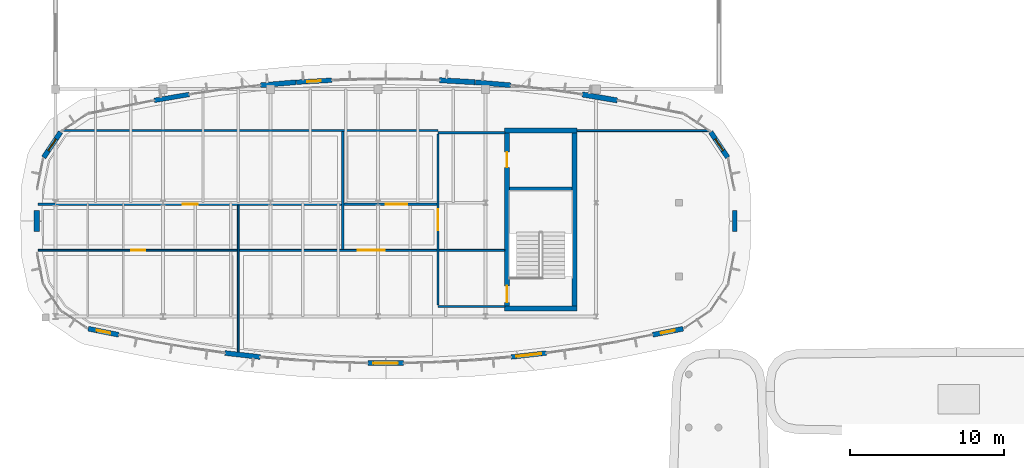
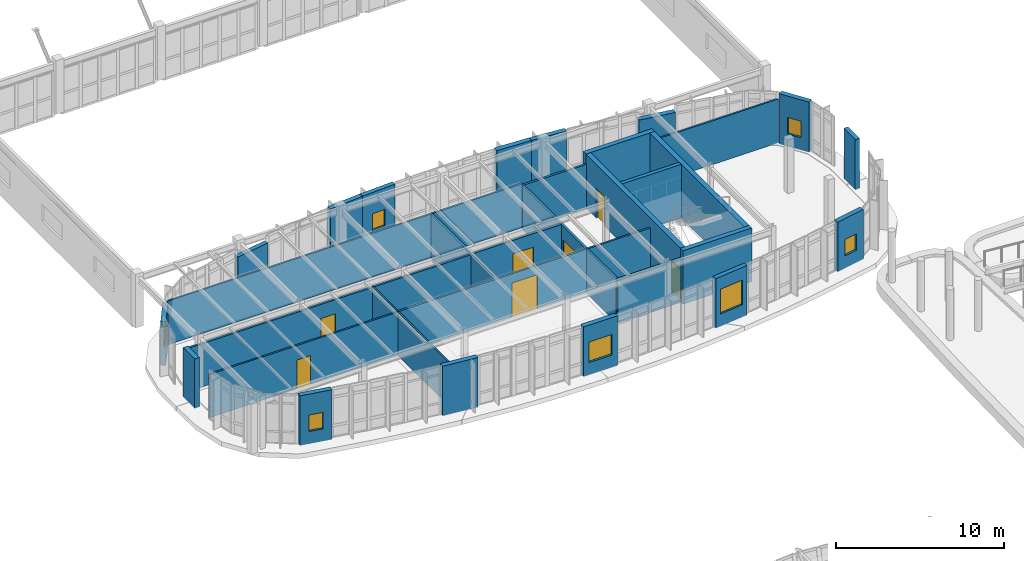
# One storey, part 86 of 111: 31 walls, 7 doors, 7 windows, 14 openings.
"""IFC4 building model written with IfcOpenShell, lengths in metres."""

from ifc_helpers import new_model, si_unit, direction, frame, frame_2d, origin, place, context, subcontext, project, spatial, rectangle, extrude, material, layer, layer_set, type_object, element, fill, save


model = new_model("IFC4")

# Units and contexts
model_context = context("Model", 3, precision=1e-05, world=origin(), true_north=direction((0.0, 1.0)))
body_context = subcontext(model_context, "Body", "Model", "MODEL_VIEW")
ifc_project = project(units=[si_unit("LENGTHUNIT", "METRE"), si_unit("AREAUNIT", "SQUARE_METRE"), si_unit("VOLUMEUNIT", "CUBIC_METRE"), si_unit("PLANEANGLEUNIT", "RADIAN"), si_unit("MASSUNIT", "GRAM", prefix="KILO")], contexts=[model_context])

# Site, building, storey
site_placement = place(None, origin())
site = spatial("IfcSite", under=ifc_project, at=site_placement, CompositionType="ELEMENT")
building_placement = place(site_placement, origin())
building = spatial("IfcBuilding", under=site, at=building_placement, Name="Corveleigh Park Community Centre", CompositionType="ELEMENT")
storey_placement = place(building_placement, frame((0.0, 0.0, 4.800048828125)))
storey = spatial("IfcBuildingStorey", under=building, at=storey_placement, Name="L01", CompositionType="ELEMENT", Elevation=4.800048828125)

# Wall, opening, window
ifc_material_1 = material(Name="Precast concrete C40/50", Category="concrete")
ifc_layer_1 = layer(ifc_material_1, 0.300048828125, Name="Precast concrete C40/50", Category="concrete")
ifc_layer_set_1 = layer_set([ifc_layer_1], Name="Precast concrete C40/50")
wall_type_1 = type_object("IfcWallType", Name="WL-EXT-300", PredefinedType="STANDARD", material=ifc_layer_set_1)
wall_1_placement = place(storey_placement, frame((43.1650390625, 75.614990234375, 0.0), z_axis=(0.0, 0.0, 1.0), x_axis=(-0.993581848664, -0.113115472002, 0.0)))
wall_1 = element("IfcWall", 1, at=wall_1_placement, inside=storey, type_object=wall_type_1, Name="V2 L01 Precast Facade Wall", PredefinedType="STANDARD", context=body_context, shape_type="SweptSolid", body=[
    extrude(rectangle(XDim=2.31591796875, YDim=0.300048828125, at=frame_2d((1.157958984375, 0.0))), origin(), (0.0, 0.0, 1.0), 3.619873046875),
])
opening_1_placement = place(wall_1_placement, frame((0.3330078125, 0.0, 0.89990234375)))
opening_1 = element("IfcOpeningElement", 2, at=opening_1_placement, cuts=wall_1, Name="Opening W14", PredefinedType="OPENING", context=body_context, shape_type="SweptSolid", body=[
    extrude(rectangle(XDim=1.64990234375, YDim=1.800048828125, at=frame_2d((0.824951171875, 0.89990234375))), frame((0.0, 0.159912109375, 0.0), z_axis=(0.0, -1.0, 0.0), x_axis=(1.0, 0.0, 0.0)), (0.0, 0.0, 1.0), 0.320068359375),
])
ifc_material_2 = material(Name="Low-E double glazing", Category="glass")
window_type_1 = type_object("IfcWindowType", Name="WIN-EXT-1650x1800", PartitioningType="SINGLE_PANEL", PredefinedType="WINDOW", material=ifc_material_2)
window_1_placement = place(opening_1_placement, origin())
window_1 = element("IfcWindow", 3, at=window_1_placement, inside=storey, type_object=window_type_1, Name="V2 L01 Window 38", OverallHeight=1.800048828125, OverallWidth=1.64990234375, PartitioningType="SINGLE_PANEL", PredefinedType="WINDOW", context=body_context, shape_type="SweptSolid", body=[
    extrude(rectangle(XDim=1.64990234375, YDim=1.800048828125, at=frame_2d((0.824951171875, 0.89990234375))), frame((0.0, 0.030029296875, 0.0), z_axis=(0.0, -1.0, 0.0), x_axis=(1.0, 0.0, 0.0)), (0.0, 0.0, 1.0), 0.06005859375),
])
fill(opening_1, window_1)

# Wall
wall_2_placement = place(storey_placement, frame((55.423095703125, 84.883056640625, 0.0), z_axis=(0.0, 0.0, 1.0), x_axis=(0.0, -1.0, 0.0)))
element("IfcWall", 4, at=wall_2_placement, inside=storey, type_object=wall_type_1, Name="V2 L01 Precast Facade Wall", PredefinedType="STANDARD", context=body_context, shape_type="SweptSolid", body=[
    extrude(rectangle(XDim=1.365966796875, YDim=0.300048828125, at=frame_2d((0.68310546875, 0.0))), origin(), (0.0, 0.0, 1.0), 3.656982421875),
])

# Wall, opening, window
wall_3_placement = place(storey_placement, frame((26.87890625, 93.2470703125, 0.0), z_axis=(0.0, 0.0, 1.0), x_axis=(0.998425774829, 0.056088966442, 0.0)))
wall_3 = element("IfcWall", 5, at=wall_3_placement, inside=storey, type_object=wall_type_1, Name="V2 L01 Precast Facade Wall", PredefinedType="STANDARD", context=body_context, shape_type="SweptSolid", body=[
    extrude(rectangle(XDim=2.315673828125, YDim=0.300048828125, at=frame_2d((1.15771484375, 0.0))), origin(), (0.0, 0.0, 1.0), 3.656982421875),
])
opening_2_placement = place(wall_3_placement, frame((0.7080078125, 0.0, 0.89990234375)))
opening_2 = element("IfcOpeningElement", 6, at=opening_2_placement, cuts=wall_3, Name="Opening W01", PredefinedType="OPENING", context=body_context, shape_type="SweptSolid", body=[
    extrude(rectangle(XDim=0.89990234375, YDim=1.199951171875, at=frame_2d((0.449951171875, 0.60009765625))), frame((0.0, 0.159912109375, 0.0), z_axis=(0.0, -1.0, 0.0), x_axis=(1.0, 0.0, 0.0)), (0.0, 0.0, 1.0), 0.320068359375),
])
window_type_2 = type_object("IfcWindowType", Name="WIN-EXT-0900x1200", PartitioningType="SINGLE_PANEL", PredefinedType="WINDOW", material=ifc_material_2)
window_2_placement = place(opening_2_placement, origin())
window_2 = element("IfcWindow", 7, at=window_2_placement, inside=storey, type_object=window_type_2, Name="V2 L01 Window 41", OverallHeight=1.199951171875, OverallWidth=0.89990234375, PartitioningType="SINGLE_PANEL", PredefinedType="WINDOW", context=body_context, shape_type="SweptSolid", body=[
    extrude(rectangle(XDim=0.89990234375, YDim=1.199951171875, at=frame_2d((0.449951171875, 0.60009765625))), frame((0.0, 0.030029296875, 0.0), z_axis=(0.0, -1.0, 0.0), x_axis=(1.0, 0.0, 0.0)), (0.0, 0.0, 1.0), 0.06005859375),
])
fill(opening_2, window_2)

# Walls
wall_4_placement = place(storey_placement, frame((17.625, 92.06201171875, 0.0), z_axis=(0.0, 0.0, 1.0), x_axis=(0.985715936194, 0.168416427742, 0.0)))
element("IfcWall", 8, at=wall_4_placement, inside=storey, type_object=wall_type_1, Name="V2 L01 Precast Facade Wall", PredefinedType="STANDARD", context=body_context, shape_type="SweptSolid", body=[
    extrude(rectangle(XDim=2.31494140625, YDim=0.300048828125, at=frame_2d((1.157470703125, 0.0))), origin(), (0.0, 0.0, 1.0), 3.18798828125),
])
ifc_layer_2 = layer(ifc_material_1, 0.320068359375, Name="Precast concrete C40/50", Category="concrete")
ifc_layer_set_2 = layer_set([ifc_layer_2], Name="Precast concrete C40/50")
wall_type_2 = type_object("IfcWallType", Name="WL-EXT-320", PredefinedType="STANDARD", material=ifc_layer_set_2)
wall_5_placement = place(storey_placement, frame((24.535888671875, 75.35302734375, 0.0), z_axis=(0.0, 0.0, 1.0), x_axis=(-0.993580499593, 0.113127321314, 0.0)))
element("IfcWall", 9, at=wall_5_placement, inside=storey, type_object=wall_type_2, Name="V2 L01 Precast Facade Wall", PredefinedType="STANDARD", context=body_context, shape_type="SweptSolid", body=[
    extrude(rectangle(XDim=2.315673828125, YDim=0.320068359375, at=frame_2d((1.15771484375, 0.0))), origin(), (0.0, 0.0, 1.0), 3.619873046875),
])

# Wall, opening, window
wall_6_placement = place(storey_placement, frame((52.06689453125, 77.197021484375, 0.0), z_axis=(0.0, 0.0, 1.0), x_axis=(-0.980751614327, -0.195259496556, 0.0)))
wall_6 = element("IfcWall", 10, at=wall_6_placement, inside=storey, type_object=wall_type_2, Name="V2 L01 Precast Facade Wall", PredefinedType="STANDARD", context=body_context, shape_type="SweptSolid", body=[
    extrude(rectangle(XDim=2.028076171875, YDim=0.320068359375, at=frame_2d((1.01416015625, 0.0))), origin(), (0.0, 0.0, 1.0), 3.619873046875),
])
opening_3_placement = place(wall_6_placement, frame((0.56396484375, 0.0, 0.89990234375)))
opening_3 = element("IfcOpeningElement", 11, at=opening_3_placement, cuts=wall_6, Name="Opening W01", PredefinedType="OPENING", context=body_context, shape_type="SweptSolid", body=[
    extrude(rectangle(XDim=0.89990234375, YDim=1.199951171875, at=frame_2d((0.449951171875, 0.60009765625))), frame((0.0, 0.169921875, 0.0), z_axis=(0.0, -1.0, 0.0), x_axis=(1.0, 0.0, 0.0)), (0.0, 0.0, 1.0), 0.340087890625),
])
window_3_placement = place(opening_3_placement, origin())
window_3 = element("IfcWindow", 12, at=window_3_placement, inside=storey, type_object=window_type_2, Name="V2 L01 Window 39", OverallHeight=1.199951171875, OverallWidth=0.89990234375, PartitioningType="SINGLE_PANEL", PredefinedType="WINDOW", context=body_context, shape_type="SweptSolid", body=[
    extrude(rectangle(XDim=0.89990234375, YDim=1.199951171875, at=frame_2d((0.449951171875, 0.60009765625))), frame((0.0, 0.030029296875, 0.0), z_axis=(0.0, -1.0, 0.0), x_axis=(1.0, 0.0, 0.0)), (0.0, 0.0, 1.0), 0.06005859375),
])
fill(opening_3, window_3)

wall_7_placement = place(storey_placement, frame((53.864013671875, 90.001953125, 0.0), z_axis=(0.0, 0.0, 1.0), x_axis=(0.555492993171, -0.83152121713, 0.0)))
wall_7 = element("IfcWall", 13, at=wall_7_placement, inside=storey, type_object=wall_type_2, Name="V2 L01 Precast Facade Wall", PredefinedType="STANDARD", context=body_context, shape_type="SweptSolid", body=[
    extrude(rectangle(XDim=1.9892578125, YDim=0.320068359375, at=frame_2d((0.99462890625, 0.0))), origin(), (0.0, 0.0, 1.0), 3.656982421875),
])
opening_4_placement = place(wall_7_placement, frame((0.5439453125, 0.0, 0.89990234375)))
opening_4 = element("IfcOpeningElement", 14, at=opening_4_placement, cuts=wall_7, Name="Opening W01", PredefinedType="OPENING", context=body_context, shape_type="SweptSolid", body=[
    extrude(rectangle(XDim=0.89990234375, YDim=1.199951171875, at=frame_2d((0.449951171875, 0.60009765625))), frame((0.0, 0.169921875, 0.0), z_axis=(0.0, -1.0, 0.0), x_axis=(1.0, 0.0, 0.0)), (0.0, 0.0, 1.0), 0.340087890625),
])
window_4_placement = place(opening_4_placement, origin())
window_4 = element("IfcWindow", 15, at=window_4_placement, inside=storey, type_object=window_type_2, Name="V2 L01 Window 40", OverallHeight=1.199951171875, OverallWidth=0.89990234375, PartitioningType="SINGLE_PANEL", PredefinedType="WINDOW", context=body_context, shape_type="SweptSolid", body=[
    extrude(rectangle(XDim=0.89990234375, YDim=1.199951171875, at=frame_2d((0.449951171875, 0.60009765625))), frame((0.0, 0.030029296875, 0.0), z_axis=(0.0, -1.0, 0.0), x_axis=(1.0, 0.0, 0.0)), (0.0, 0.0, 1.0), 0.06005859375),
])
fill(opening_4, window_4)

# Walls
wall_8_placement = place(storey_placement, frame((38.5390625, 93.2451171875, 0.0), z_axis=(0.0, 0.0, 1.0), x_axis=(0.99640842631, -0.084677316788, 0.0)))
element("IfcWall", 16, at=wall_8_placement, inside=storey, type_object=wall_type_2, Name="V2 L01 Precast Facade Wall", PredefinedType="STANDARD", context=body_context, shape_type="SweptSolid", body=[
    extrude(rectangle(XDim=2.315185546875, YDim=0.320068359375, at=frame_2d((1.15771484375, 0.0))), origin(), (0.0, 0.0, 1.0), 3.656982421875),
])
wall_9_placement = place(storey_placement, frame((24.553955078125, 93.049072265625, 0.0), z_axis=(0.0, 0.0, 1.0), x_axis=(0.996409182302, 0.084668420464, 0.0)))
element("IfcWall", 17, at=wall_9_placement, inside=storey, type_object=wall_type_2, Name="V2 L01 Precast Facade Wall", PredefinedType="STANDARD", context=body_context, shape_type="SweptSolid", body=[
    extrude(rectangle(XDim=2.3154296875, YDim=0.320068359375, at=frame_2d((1.15771484375, 0.0))), origin(), (0.0, 0.0, 1.0), 3.656982421875),
])

# Wall, opening, window
wall_10_placement = place(storey_placement, frame((10.430908203125, 88.347900390625, 0.0), z_axis=(0.0, 0.0, 1.0), x_axis=(0.555492993171, 0.83152121713, 0.0)))
wall_10 = element("IfcWall", 18, at=wall_10_placement, inside=storey, type_object=wall_type_2, Name="V2 L01 Precast Facade Wall", PredefinedType="STANDARD", context=body_context, shape_type="SweptSolid", body=[
    extrude(rectangle(XDim=1.9892578125, YDim=0.320068359375, at=frame_2d((0.99462890625, 0.0))), origin(), (0.0, 0.0, 1.0), 3.18798828125),
])
opening_5_placement = place(wall_10_placement, frame((0.5439453125, 0.0, 0.89990234375)))
opening_5 = element("IfcOpeningElement", 19, at=opening_5_placement, cuts=wall_10, Name="Opening W01", PredefinedType="OPENING", context=body_context, shape_type="SweptSolid", body=[
    extrude(rectangle(XDim=0.89990234375, YDim=1.199951171875, at=frame_2d((0.449951171875, 0.60009765625))), frame((0.0, 0.169921875, 0.0), z_axis=(0.0, -1.0, 0.0), x_axis=(1.0, 0.0, 0.0)), (0.0, 0.0, 1.0), 0.340087890625),
])
window_5_placement = place(opening_5_placement, origin())
window_5 = element("IfcWindow", 20, at=window_5_placement, inside=storey, type_object=window_type_2, Name="V2 L01 Window 42", OverallHeight=1.199951171875, OverallWidth=0.89990234375, PartitioningType="SINGLE_PANEL", PredefinedType="WINDOW", context=body_context, shape_type="SweptSolid", body=[
    extrude(rectangle(XDim=0.89990234375, YDim=1.199951171875, at=frame_2d((0.449951171875, 0.60009765625))), frame((0.0, 0.030029296875, 0.0), z_axis=(0.0, -1.0, 0.0), x_axis=(1.0, 0.0, 0.0)), (0.0, 0.0, 1.0), 0.06005859375),
])
fill(opening_5, window_5)

wall_11_placement = place(storey_placement, frame((15.322021484375, 76.801025390625, 0.0), z_axis=(0.0, 0.0, 1.0), x_axis=(-0.980751614327, 0.195259496556, 0.0)))
wall_11 = element("IfcWall", 21, at=wall_11_placement, inside=storey, type_object=wall_type_2, Name="V2 L01 Precast Facade Wall", PredefinedType="STANDARD", context=body_context, shape_type="SweptSolid", body=[
    extrude(rectangle(XDim=2.028076171875, YDim=0.320068359375, at=frame_2d((1.01416015625, 0.0))), origin(), (0.0, 0.0, 1.0), 3.619873046875),
])
opening_6_placement = place(wall_11_placement, frame((0.56396484375, 0.0, 0.89990234375)))
opening_6 = element("IfcOpeningElement", 22, at=opening_6_placement, cuts=wall_11, Name="Opening W01", PredefinedType="OPENING", context=body_context, shape_type="SweptSolid", body=[
    extrude(rectangle(XDim=0.89990234375, YDim=1.199951171875, at=frame_2d((0.449951171875, 0.60009765625))), frame((0.0, 0.169921875, 0.0), z_axis=(0.0, -1.0, 0.0), x_axis=(1.0, 0.0, 0.0)), (0.0, 0.0, 1.0), 0.340087890625),
])
window_6_placement = place(opening_6_placement, origin())
window_6 = element("IfcWindow", 23, at=window_6_placement, inside=storey, type_object=window_type_2, Name="V2 L01 Window 43", OverallHeight=1.199951171875, OverallWidth=0.89990234375, PartitioningType="SINGLE_PANEL", PredefinedType="WINDOW", context=body_context, shape_type="SweptSolid", body=[
    extrude(rectangle(XDim=0.89990234375, YDim=1.199951171875, at=frame_2d((0.449951171875, 0.60009765625))), frame((0.0, 0.030029296875, 0.0), z_axis=(0.0, -1.0, 0.0), x_axis=(1.0, 0.0, 0.0)), (0.0, 0.0, 1.0), 0.06005859375),
])
fill(opening_6, window_6)

ifc_layer_3 = layer(ifc_material_1, 0.340087890625, Name="Precast concrete C40/50", Category="concrete")
ifc_layer_set_3 = layer_set([ifc_layer_3], Name="Precast concrete C40/50")
wall_type_3 = type_object("IfcWallType", Name="WL-EXT-340", PredefinedType="STANDARD", material=ifc_layer_set_3)
wall_12_placement = place(storey_placement, frame((33.85791015625, 74.9560546875, 0.0), z_axis=(0.0, 0.0, 1.0), x_axis=(-1.0, 0.0, 0.0)))
wall_12 = element("IfcWall", 24, at=wall_12_placement, inside=storey, type_object=wall_type_3, Name="V2 L01 Precast Facade Wall", PredefinedType="STANDARD", context=body_context, shape_type="SweptSolid", body=[
    extrude(rectangle(XDim=2.31591796875, YDim=0.340087890625, at=frame_2d((1.157958984375, 0.0))), origin(), (0.0, 0.0, 1.0), 3.619873046875),
])
opening_7_placement = place(wall_12_placement, frame((0.35791015625, 0.0, 0.89990234375)))
opening_7 = element("IfcOpeningElement", 25, at=opening_7_placement, cuts=wall_12, Name="Opening W13", PredefinedType="OPENING", context=body_context, shape_type="SweptSolid", body=[
    extrude(rectangle(XDim=1.60009765625, YDim=1.5, at=frame_2d((0.800048828125, 0.75))), frame((0.0, 0.179931640625, 0.0), z_axis=(0.0, -1.0, 0.0), x_axis=(1.0, 0.0, 0.0)), (0.0, 0.0, 1.0), 0.360107421875),
])
window_type_3 = type_object("IfcWindowType", Name="WIN-EXT-1600x1500", PartitioningType="SINGLE_PANEL", PredefinedType="WINDOW", material=ifc_material_2)
window_7_placement = place(opening_7_placement, origin())
window_7 = element("IfcWindow", 26, at=window_7_placement, inside=storey, type_object=window_type_3, Name="V2 L01 Window 37", OverallHeight=1.5, OverallWidth=1.60009765625, PartitioningType="SINGLE_PANEL", PredefinedType="WINDOW", context=body_context, shape_type="SweptSolid", body=[
    extrude(rectangle(XDim=1.60009765625, YDim=1.5, at=frame_2d((0.800048828125, 0.75))), frame((0.0, 0.030029296875, 0.0), z_axis=(0.0, -1.0, 0.0), x_axis=(1.0, 0.0, 0.0)), (0.0, 0.0, 1.0), 0.06005859375),
])
fill(opening_7, window_7)

# Walls
wall_13_placement = place(storey_placement, frame((45.492919921875, 92.451904296875, 0.0), z_axis=(0.0, 0.0, 1.0), x_axis=(0.985715936194, -0.168416427742, 0.0)))
element("IfcWall", 27, at=wall_13_placement, inside=storey, type_object=wall_type_3, Name="V2 L01 Precast Facade Wall", PredefinedType="STANDARD", context=body_context, shape_type="SweptSolid", body=[
    extrude(rectangle(XDim=2.31494140625, YDim=0.340087890625, at=frame_2d((1.157470703125, 0.0))), origin(), (0.0, 0.0, 1.0), 3.18798828125),
])
wall_14_placement = place(storey_placement, frame((36.208984375, 93.376953125, 0.0), z_axis=(0.0, 0.0, 1.0), x_axis=(0.998425774829, -0.056088966442, 0.0)))
element("IfcWall", 28, at=wall_14_placement, inside=storey, type_object=wall_type_3, Name="V2 L01 Precast Facade Wall", PredefinedType="STANDARD", context=body_context, shape_type="SweptSolid", body=[
    extrude(rectangle(XDim=2.315673828125, YDim=0.340087890625, at=frame_2d((1.15771484375, 0.0))), origin(), (0.0, 0.0, 1.0), 3.656982421875),
])
wall_15_placement = place(storey_placement, frame((9.97705078125, 83.51708984375, 0.0), z_axis=(0.0, 0.0, 1.0), x_axis=(0.0, 1.0, 0.0)))
element("IfcWall", 29, at=wall_15_placement, inside=storey, type_object=wall_type_3, Name="V2 L01 Precast Facade Wall", PredefinedType="STANDARD", context=body_context, shape_type="SweptSolid", body=[
    extrude(rectangle(XDim=1.365966796875, YDim=0.340087890625, at=frame_2d((0.68310546875, 0.0))), origin(), (0.0, 0.0, 1.0), 3.612060546875),
])
ifc_material_3 = material(Name="Gypsum acoustic stud partition", Category="gypsum")
ifc_layer_4 = layer(ifc_material_3, 0.10009765625, Name="Gypsum acoustic stud partition", Category="gypsum")
ifc_layer_set_4 = layer_set([ifc_layer_4], Name="Gypsum acoustic stud partition")
wall_type_4 = type_object("IfcWallType", Name="WL-PRT-100", PredefinedType="PARTITIONING", material=ifc_layer_set_4)
wall_16_placement = place(storey_placement, frame((23.10009765625, 75.6650390625, 0.0), z_axis=(0.0, 0.0, 1.0), x_axis=(0.0, 1.0, 0.0)))
element("IfcWall", 30, at=wall_16_placement, inside=storey, type_object=wall_type_4, Name="Community Fitness Suite partition", PredefinedType="PARTITIONING", context=body_context, shape_type="SweptSolid", body=[
    extrude(rectangle(XDim=9.576904296875, YDim=0.10009765625, at=frame_2d((4.78857421875, 0.0))), origin(), (0.0, 0.0, 1.0), 3.18505859375),
])

# Wall, opening, door
ifc_layer_5 = layer(ifc_material_3, 0.114990234375, Name="Gypsum acoustic stud partition", Category="gypsum")
ifc_layer_set_5 = layer_set([ifc_layer_5], Name="Gypsum acoustic stud partition")
wall_type_5 = type_object("IfcWallType", Name="WL-PRT-115", PredefinedType="PARTITIONING", material=ifc_layer_set_5)
wall_17_placement = place(storey_placement, frame((10.076904296875, 82.300048828125, 0.0), z_axis=(0.0, 0.0, 1.0), x_axis=(1.0, 0.0, 0.0)))
wall_17 = element("IfcWall", 31, at=wall_17_placement, inside=storey, type_object=wall_type_5, Name="Community Fitness Suite corridor wall", PredefinedType="PARTITIONING", context=body_context, shape_type="SweptSolid", body=[
    extrude(rectangle(XDim=13.023193359375, YDim=0.114990234375, at=frame_2d((6.51171875, 0.0))), origin(), (0.0, 0.0, 1.0), 3.15087890625),
])
opening_8_placement = place(wall_17_placement, frame((6.0419921875, 0.0, 0.0)))
opening_8 = element("IfcOpeningElement", 32, at=opening_8_placement, cuts=wall_17, Name="Opening FD09", PredefinedType="OPENING", context=body_context, shape_type="SweptSolid", body=[
    extrude(rectangle(XDim=0.93994140625, YDim=2.10009765625, at=frame_2d((0.469970703125, 1.050048828125))), frame((0.0, 0.0673828125, 0.0), z_axis=(0.0, -1.0, 0.0), x_axis=(1.0, 0.0, 0.0)), (0.0, 0.0, 1.0), 0.135009765625),
])
ifc_material_4 = material(Name="Hardwood acoustic door leaf", Category="wood")
door_type_1 = type_object("IfcDoorType", Name="DR-FIR-0940x2100", OperationType="NOTDEFINED", PredefinedType="DOOR", material=ifc_material_4)
door_1_placement = place(opening_8_placement, origin())
door_1 = element("IfcDoor", 33, at=door_1_placement, inside=storey, type_object=door_type_1, Name="Community Fitness Suite door", OperationType="SINGLE_SWING_LEFT", OverallHeight=2.10009765625, OverallWidth=0.93994140625, PredefinedType="DOOR", context=body_context, shape_type="SweptSolid", body=[
    extrude(rectangle(XDim=0.93994140625, YDim=2.10009765625, at=frame_2d((0.469970703125, 1.050048828125))), frame((0.0, 0.02490234375, 0.0), z_axis=(0.0, -1.0, 0.0), x_axis=(1.0, 0.0, 0.0)), (0.0, 0.0, 1.0), 0.050048828125),
])
fill(opening_8, door_1)

# Wall
wall_18_placement = place(storey_placement, frame((11.652099609375, 90.10009765625, 0.0), z_axis=(0.0, 0.0, 1.0), x_axis=(1.0, 0.0, 0.0)))
element("IfcWall", 34, at=wall_18_placement, inside=storey, type_object=wall_type_5, Name="Sprung Movement Studio 2 partition", PredefinedType="PARTITIONING", context=body_context, shape_type="SweptSolid", body=[
    extrude(rectangle(XDim=24.447998046875, YDim=0.114990234375, at=frame_2d((12.22412109375, 0.0))), origin(), (0.0, 0.0, 1.0), 3.18798828125),
])

# Wall, opening, door
ifc_layer_6 = layer(ifc_material_3, 0.125, Name="Gypsum acoustic stud partition", Category="gypsum")
ifc_layer_set_6 = layer_set([ifc_layer_6], Name="Gypsum acoustic stud partition")
wall_type_6 = type_object("IfcWallType", Name="WL-PRT-125", PredefinedType="PARTITIONING", material=ifc_layer_set_6)
wall_19_placement = place(storey_placement, frame((23.10009765625, 82.300048828125, 0.0), z_axis=(0.0, 0.0, 1.0), x_axis=(1.0, 0.0, 0.0)))
wall_19 = element("IfcWall", 35, at=wall_19_placement, inside=storey, type_object=wall_type_6, Name="Sprung Dance Studio 1 corridor wall", PredefinedType="PARTITIONING", context=body_context, shape_type="SweptSolid", body=[
    extrude(rectangle(XDim=17.349853515625, YDim=0.125, at=frame_2d((8.6748046875, 0.0))), origin(), (0.0, 0.0, 1.0), 3.18798828125),
])
opening_9_placement = place(wall_19_placement, frame((7.794921875, 0.0, 0.0)))
opening_9 = element("IfcOpeningElement", 36, at=opening_9_placement, cuts=wall_19, Name="Opening FD08", PredefinedType="OPENING", context=body_context, shape_type="SweptSolid", body=[
    extrude(rectangle(XDim=1.760009765625, YDim=2.52001953125, at=frame_2d((0.8798828125, 1.260009765625))), frame((0.0, 0.072509765625, 0.0), z_axis=(0.0, -1.0, 0.0), x_axis=(1.0, 0.0, 0.0)), (0.0, 0.0, 1.0), 0.14501953125),
])
door_type_2 = type_object("IfcDoorType", Name="DR-FIR-1760x2520", OperationType="DOUBLE_DOOR_SINGLE_SWING", PredefinedType="DOOR", material=ifc_material_4)
door_2_placement = place(opening_9_placement, origin())
door_2 = element("IfcDoor", 37, at=door_2_placement, inside=storey, type_object=door_type_2, Name="Sprung Dance Studio 1 door", OperationType="DOUBLE_DOOR_SINGLE_SWING", OverallHeight=2.52001953125, OverallWidth=1.760009765625, PredefinedType="DOOR", context=body_context, shape_type="SweptSolid", body=[
    extrude(rectangle(XDim=1.760009765625, YDim=2.52001953125, at=frame_2d((0.8798828125, 1.260009765625))), frame((0.0, 0.02490234375, 0.0), z_axis=(0.0, -1.0, 0.0), x_axis=(1.0, 0.0, 0.0)), (0.0, 0.0, 1.0), 0.050048828125),
])
fill(opening_9, door_2)

# Wall
wall_20_placement = place(storey_placement, frame((45.1630859375, 90.10009765625, 0.0), z_axis=(0.0, 0.0, 1.0), x_axis=(1.0, 0.0, 0.0)))
element("IfcWall", 38, at=wall_20_placement, inside=storey, type_object=wall_type_6, Name="Sprung Movement Studio 2 partition", PredefinedType="PARTITIONING", context=body_context, shape_type="SweptSolid", body=[
    extrude(rectangle(XDim=8.5849609375, YDim=0.125, at=frame_2d((4.29248046875, 0.0))), origin(), (0.0, 0.0, 1.0), 3.18798828125),
])

# Wall, opening, door
ifc_layer_7 = layer(ifc_material_3, 0.139892578125, Name="Gypsum acoustic stud partition", Category="gypsum")
ifc_layer_set_7 = layer_set([ifc_layer_7], Name="Gypsum acoustic stud partition")
wall_type_7 = type_object("IfcWallType", Name="WL-PRT-140", PredefinedType="PARTITIONING", material=ifc_layer_set_7)
wall_21_placement = place(storey_placement, frame((29.89990234375, 85.300048828125, 0.0), z_axis=(0.0, 0.0, 1.0), x_axis=(-1.0, 0.0, 0.0)))
wall_21 = element("IfcWall", 39, at=wall_21_placement, inside=storey, type_object=wall_type_7, Name="Sprung Movement Studio 2 corridor wall", PredefinedType="PARTITIONING", context=body_context, shape_type="SweptSolid", body=[
    extrude(rectangle(XDim=19.827880859375, YDim=0.139892578125, at=frame_2d((9.9140625, 0.0))), origin(), (0.0, 0.0, 1.0), 3.15087890625),
])
opening_10_placement = place(wall_21_placement, frame((9.424072265625, 0.0, 0.0)))
opening_10 = element("IfcOpeningElement", 40, at=opening_10_placement, cuts=wall_21, Name="Opening FD06", PredefinedType="OPENING", context=body_context, shape_type="SweptSolid", body=[
    extrude(rectangle(XDim=0.97998046875, YDim=2.1201171875, at=frame_2d((0.489990234375, 1.06005859375))), frame((0.0, 0.079833984375, 0.0), z_axis=(0.0, -1.0, 0.0), x_axis=(1.0, 0.0, 0.0)), (0.0, 0.0, 1.0), 0.159912109375),
])
door_type_3 = type_object("IfcDoorType", Name="DR-FIR-0980x2120", OperationType="NOTDEFINED", PredefinedType="DOOR", material=ifc_material_4)
door_3_placement = place(opening_10_placement, origin())
door_3 = element("IfcDoor", 41, at=door_3_placement, inside=storey, type_object=door_type_3, Name="Sprung Movement Studio 2 door", OperationType="SINGLE_SWING_RIGHT", OverallHeight=2.1201171875, OverallWidth=0.97998046875, PredefinedType="DOOR", context=body_context, shape_type="SweptSolid", body=[
    extrude(rectangle(XDim=0.97998046875, YDim=2.1201171875, at=frame_2d((0.489990234375, 1.06005859375))), frame((0.0, 0.02490234375, 0.0), z_axis=(0.0, -1.0, 0.0), x_axis=(1.0, 0.0, 0.0)), (0.0, 0.0, 1.0), 0.050048828125),
])
fill(opening_10, door_3)

# Walls
wall_22_placement = place(storey_placement, frame((29.89990234375, 82.35009765625, 0.0), z_axis=(0.0, 0.0, 1.0), x_axis=(0.0, 1.0, 0.0)))
element("IfcWall", 42, at=wall_22_placement, inside=storey, type_object=wall_type_7, Name="Sprung Movement Studio 2 partition", PredefinedType="PARTITIONING", context=body_context, shape_type="SweptSolid", body=[
    extrude(rectangle(XDim=7.703857421875, YDim=0.139892578125, at=frame_2d((3.85205078125, 0.0))), origin(), (0.0, 0.0, 1.0), 3.18505859375),
])
ifc_layer_8 = layer(ifc_material_3, 0.14990234375, Name="Gypsum acoustic stud partition", Category="gypsum")
ifc_layer_set_8 = layer_set([ifc_layer_8], Name="Gypsum acoustic stud partition")
wall_type_8 = type_object("IfcWallType", Name="WL-PRT-150", PredefinedType="PARTITIONING", material=ifc_layer_set_8)
for number, where, z_axis, x_axis, name in (
    (43, (36.10009765625, 78.64990234375, 0.0), (0.0, 0.0, 1.0), (1.0, 0.0, 0.0), "CORE3 lobby south wall"),
    (44, (40.452880859375, 89.949951171875, 0.0), (0.0, 0.0, 1.0), (-1.0, 0.0, 0.0), "CORE3 lobby north wall"),
):
    element("IfcWall", number, at=place(storey_placement, frame(where, z_axis=z_axis, x_axis=x_axis)), inside=storey, type_object=wall_type_8, Name=name, PredefinedType="PARTITIONING", context=body_context, shape_type="SweptSolid", body=[
        extrude(rectangle(XDim=4.352783203125, YDim=0.14990234375, at=frame_2d((2.17626953125, 0.0))), origin(), (0.0, 0.0, 1.0), 3.18798828125),
    ])

# Wall, opening, door
wall_23_placement = place(storey_placement, frame((36.10009765625, 89.8701171875, 0.0), z_axis=(0.0, 0.0, 1.0), x_axis=(0.0, -1.0, 0.0)))
wall_23 = element("IfcWall", 45, at=wall_23_placement, inside=storey, type_object=wall_type_8, Name="CORE3 lobby corridor wall", PredefinedType="PARTITIONING", context=body_context, shape_type="SweptSolid", body=[
    extrude(rectangle(XDim=11.14013671875, YDim=0.14990234375, at=frame_2d((5.570068359375, 0.0))), origin(), (0.0, 0.0, 1.0), 3.18505859375),
])
opening_11_placement = place(wall_23_placement, frame((4.8798828125, 0.0, 0.0)))
opening_11 = element("IfcOpeningElement", 46, at=opening_11_placement, cuts=wall_23, Name="Opening FD02", PredefinedType="OPENING", context=body_context, shape_type="SweptSolid", body=[
    extrude(rectangle(XDim=1.3798828125, YDim=2.199951171875, at=frame_2d((0.68994140625, 1.10009765625))), frame((0.0, 0.0849609375, 0.0), z_axis=(0.0, -1.0, 0.0), x_axis=(1.0, 0.0, 0.0)), (0.0, 0.0, 1.0), 0.169921875),
])
door_type_4 = type_object("IfcDoorType", Name="DR-FIR-1380x2200", OperationType="DOUBLE_DOOR_SINGLE_SWING", PredefinedType="DOOR", material=ifc_material_4)
door_4_placement = place(opening_11_placement, origin())
door_4 = element("IfcDoor", 47, at=door_4_placement, inside=storey, type_object=door_type_4, Name="Lobby CORE3 corridor door L01", OperationType="DOUBLE_DOOR_SINGLE_SWING", OverallHeight=2.199951171875, OverallWidth=1.3798828125, PredefinedType="DOOR", context=body_context, shape_type="SweptSolid", body=[
    extrude(rectangle(XDim=1.3798828125, YDim=2.199951171875, at=frame_2d((0.68994140625, 1.10009765625))), frame((0.0, 0.02490234375, 0.0), z_axis=(0.0, -1.0, 0.0), x_axis=(1.0, 0.0, 0.0)), (0.0, 0.0, 1.0), 0.050048828125),
])
fill(opening_11, door_4)

wall_24_placement = place(storey_placement, frame((36.037109375, 85.300048828125, 0.0), z_axis=(0.0, 0.0, 1.0), x_axis=(-1.0, 0.0, 0.0)))
wall_24 = element("IfcWall", 48, at=wall_24_placement, inside=storey, type_object=wall_type_8, Name="Studio Accessible Toilets L01 corridor wall", PredefinedType="PARTITIONING", context=body_context, shape_type="SweptSolid", body=[
    extrude(rectangle(XDim=6.13720703125, YDim=0.14990234375, at=frame_2d((3.068603515625, 0.0))), origin(), (0.0, 0.0, 1.0), 3.18505859375),
])
opening_12_placement = place(wall_24_placement, frame((1.93896484375, 0.0, 0.0)))
opening_12 = element("IfcOpeningElement", 49, at=opening_12_placement, cuts=wall_24, Name="Opening FD02", PredefinedType="OPENING", context=body_context, shape_type="SweptSolid", body=[
    extrude(rectangle(XDim=1.3798828125, YDim=2.199951171875, at=frame_2d((0.68994140625, 1.10009765625))), frame((0.0, 0.0849609375, 0.0), z_axis=(0.0, -1.0, 0.0), x_axis=(1.0, 0.0, 0.0)), (0.0, 0.0, 1.0), 0.169921875),
])
door_5_placement = place(opening_12_placement, origin())
door_5 = element("IfcDoor", 50, at=door_5_placement, inside=storey, type_object=door_type_4, Name="Studio Accessible Toilets L01 door", OperationType="DOUBLE_DOOR_SINGLE_SWING", OverallHeight=2.199951171875, OverallWidth=1.3798828125, PredefinedType="DOOR", context=body_context, shape_type="SweptSolid", body=[
    extrude(rectangle(XDim=1.3798828125, YDim=2.199951171875, at=frame_2d((0.68994140625, 1.10009765625))), frame((0.0, 0.02490234375, 0.0), z_axis=(0.0, -1.0, 0.0), x_axis=(1.0, 0.0, 0.0)), (0.0, 0.0, 1.0), 0.050048828125),
])
fill(opening_12, door_5)

# Walls
ifc_material_5 = material(Name="Concrete C40/50", Category="concrete")
ifc_layer_9 = layer(ifc_material_5, 0.25, Name="Concrete C40/50", Category="concrete")
ifc_layer_set_9 = layer_set([ifc_layer_9], Name="Concrete C40/50")
wall_type_9 = type_object("IfcWallType", Name="WL-SHR-250", PredefinedType="SHEAR", material=ifc_layer_set_9)
wall_25_placement = place(storey_placement, frame((40.762939453125, 86.300048828125, 0.0), z_axis=(0.0, 0.0, 1.0), x_axis=(1.0, 0.0, 0.0)))
element("IfcWall", 51, at=wall_25_placement, inside=storey, type_object=wall_type_9, Name="CORE3 shaft wall", PredefinedType="SHEAR", context=body_context, shape_type="SweptSolid", body=[
    extrude(rectangle(XDim=4.073974609375, YDim=0.25, at=frame_2d((2.037109375, 0.0))), origin(), (0.0, 0.0, 1.0), 3.89990234375),
])
ifc_layer_10 = layer(ifc_material_5, 0.324951171875, Name="Concrete C40/50", Category="concrete")
ifc_layer_set_10 = layer_set([ifc_layer_10], Name="Concrete C40/50")
wall_type_10 = type_object("IfcWallType", Name="WL-SHR-325", PredefinedType="SHEAR", material=ifc_layer_set_10)
wall_26_placement = place(storey_placement, frame((40.43798828125, 78.5, 0.0), z_axis=(0.0, 0.0, 1.0), x_axis=(1.0, 0.0, 0.0)))
element("IfcWall", 52, at=wall_26_placement, inside=storey, type_object=wall_type_10, Name="CORE3 south shear wall", PredefinedType="SHEAR", context=body_context, shape_type="SweptSolid", body=[
    extrude(rectangle(XDim=4.72509765625, YDim=0.324951171875, at=frame_2d((2.362548828125, 0.0))), origin(), (0.0, 0.0, 1.0), 3.89990234375),
])
wall_27_placement = place(storey_placement, frame((45.0, 78.662109375, 0.0), z_axis=(0.0, 0.0, 1.0), x_axis=(0.0, 1.0, 0.0)))
element("IfcWall", 53, at=wall_27_placement, inside=storey, type_object=wall_type_10, Name="CORE3 east shear wall", PredefinedType="SHEAR", context=body_context, shape_type="SweptSolid", body=[
    extrude(rectangle(XDim=11.27587890625, YDim=0.324951171875, at=frame_2d((5.637939453125, 0.0))), origin(), (0.0, 0.0, 1.0), 3.89990234375),
])
wall_28_placement = place(storey_placement, frame((45.1630859375, 90.10009765625, 0.0), z_axis=(0.0, 0.0, 1.0), x_axis=(-1.0, 0.0, 0.0)))
element("IfcWall", 54, at=wall_28_placement, inside=storey, type_object=wall_type_10, Name="CORE3 north shear wall", PredefinedType="SHEAR", context=body_context, shape_type="SweptSolid", body=[
    extrude(rectangle(XDim=4.72509765625, YDim=0.324951171875, at=frame_2d((2.362548828125, 0.0))), origin(), (0.0, 0.0, 1.0), 3.89990234375),
])

# Wall, openings, doors
wall_29_placement = place(storey_placement, frame((40.60009765625, 89.93798828125, 0.0), z_axis=(0.0, 0.0, 1.0), x_axis=(0.0, -1.0, 0.0)))
wall_29 = element("IfcWall", 55, at=wall_29_placement, inside=storey, type_object=wall_type_10, Name="CORE3 west lobby wall", PredefinedType="SHEAR", context=body_context, shape_type="SweptSolid", body=[
    extrude(rectangle(XDim=11.27587890625, YDim=0.324951171875, at=frame_2d((5.637939453125, 0.0))), origin(), (0.0, 0.0, 1.0), 3.89990234375),
])
opening_13_placement = place(wall_29_placement, frame((1.238037109375, 0.0, 0.0)))
opening_13 = element("IfcOpeningElement", 56, at=opening_13_placement, cuts=wall_29, Name="Opening LD02", PredefinedType="OPENING", context=body_context, shape_type="SweptSolid", body=[
    extrude(rectangle(XDim=1.0, YDim=2.14990234375, at=frame_2d((0.5, 1.074951171875))), frame((0.0, 0.17236328125, 0.0), z_axis=(0.0, -1.0, 0.0), x_axis=(1.0, 0.0, 0.0)), (0.0, 0.0, 1.0), 0.344970703125),
])
opening_14_placement = place(wall_29_placement, frame((9.9580078125, 0.0, 0.0)))
opening_14 = element("IfcOpeningElement", 57, at=opening_14_placement, cuts=wall_29, Name="Opening FD04", PredefinedType="OPENING", context=body_context, shape_type="SweptSolid", body=[
    extrude(rectangle(XDim=1.06005859375, YDim=2.14990234375, at=frame_2d((0.530029296875, 1.074951171875))), frame((0.0, 0.17236328125, 0.0), z_axis=(0.0, -1.0, 0.0), x_axis=(1.0, 0.0, 0.0)), (0.0, 0.0, 1.0), 0.344970703125),
])
door_type_5 = type_object("IfcDoorType", Name="DR-FIR-1060x2150", OperationType="NOTDEFINED", PredefinedType="DOOR", material=ifc_material_4)
door_6_placement = place(opening_14_placement, origin())
door_6 = element("IfcDoor", 58, at=door_6_placement, inside=storey, type_object=door_type_5, Name="Stair ST3 fire door L01", OperationType="SINGLE_SWING_LEFT", OverallHeight=2.14990234375, OverallWidth=1.06005859375, PredefinedType="DOOR", context=body_context, shape_type="SweptSolid", body=[
    extrude(rectangle(XDim=1.06005859375, YDim=2.14990234375, at=frame_2d((0.530029296875, 1.074951171875))), frame((0.0, 0.02490234375, 0.0), z_axis=(0.0, -1.0, 0.0), x_axis=(1.0, 0.0, 0.0)), (0.0, 0.0, 1.0), 0.050048828125),
])
fill(opening_14, door_6)
ifc_material_6 = material(Name="Brushed stainless steel lift car", Category="steel")
door_type_6 = type_object("IfcDoorType", Name="DR-LFT-1000x2150", OperationType="SLIDING_TO_LEFT", PredefinedType="DOOR", material=ifc_material_6)
door_7_placement = place(opening_13_placement, origin())
door_7 = element("IfcDoor", 59, at=door_7_placement, inside=storey, type_object=door_type_6, Name="Lift PL1 landing door L01", OperationType="SLIDING_TO_LEFT", OverallHeight=2.14990234375, OverallWidth=1.0, PredefinedType="DOOR", context=body_context, shape_type="SweptSolid", body=[
    extrude(rectangle(XDim=1.0, YDim=2.14990234375, at=frame_2d((0.5, 1.074951171875))), frame((0.0, 0.02490234375, 0.0), z_axis=(0.0, -1.0, 0.0), x_axis=(1.0, 0.0, 0.0)), (0.0, 0.0, 1.0), 0.050048828125),
])
fill(opening_13, door_7)

save(model, "model.ifc")
